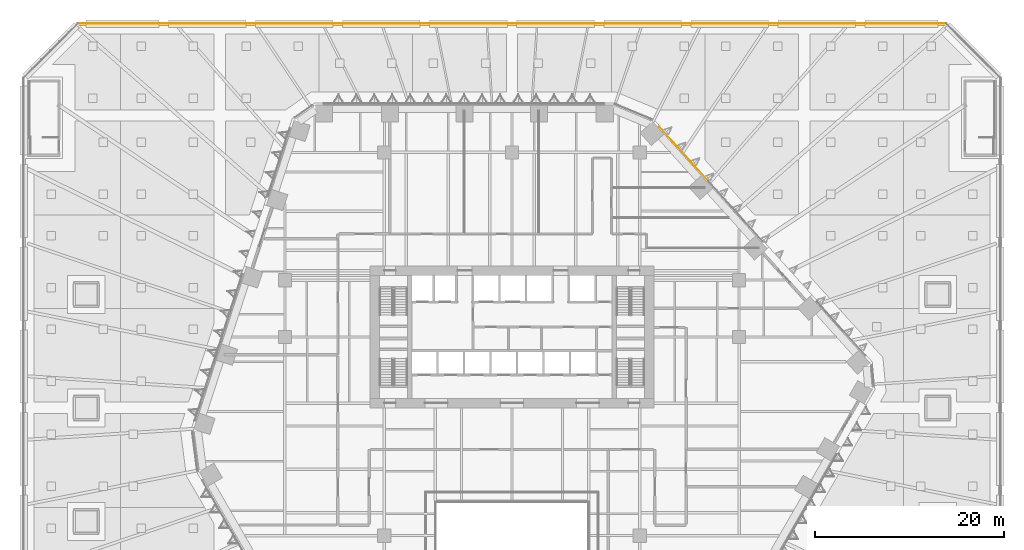
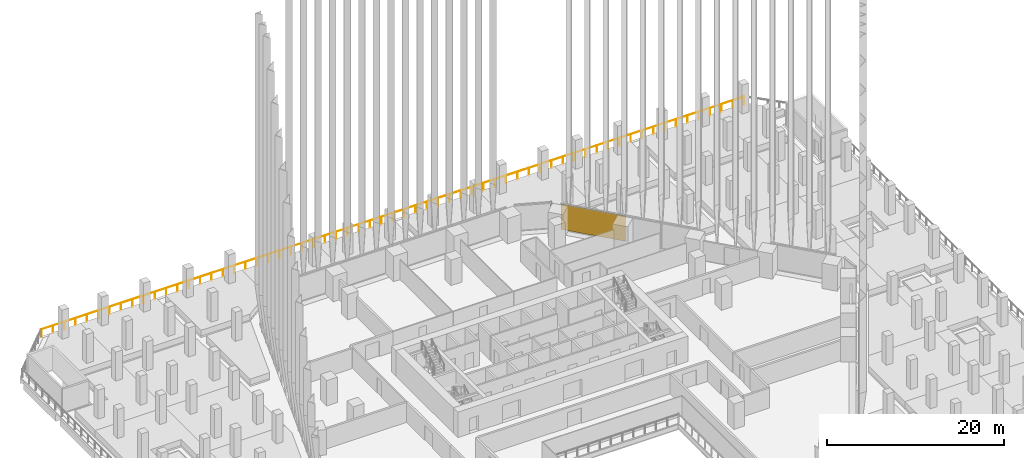
# One storey, part 45 of 51: 1 covering, 1 railing, 1 element without a shape of its own.
"""IFC4 building model written with IfcOpenShell, lengths in metres."""

from ifc_helpers import new_model, si_unit, direction, frame, origin, origin_2d, place, context, subcontext, project, spatial, rectangle, circle, extrude, material, layer, layer_set, type_object, element, aggregate, save


model = new_model("IFC4")

# Units and contexts
model_context = context("Model", 3, precision=1e-05, world=origin(), true_north=direction((0.0, 1.0)))
body_context = subcontext(model_context, "Body", "Model", "MODEL_VIEW")
ifc_project = project(units=[si_unit("LENGTHUNIT", "METRE"), si_unit("AREAUNIT", "SQUARE_METRE"), si_unit("VOLUMEUNIT", "CUBIC_METRE"), si_unit("PLANEANGLEUNIT", "RADIAN"), si_unit("MASSUNIT", "GRAM", prefix="KILO")], contexts=[model_context])

# Site, building, storey
site_placement = place(None, origin())
site = spatial("IfcSite", under=ifc_project, at=site_placement, CompositionType="ELEMENT")
building_placement = place(site_placement, origin())
building = spatial("IfcBuilding", under=site, at=building_placement, Name="Isthmus Gate Tower", CompositionType="ELEMENT")
storey_placement = place(building_placement, frame((0.0, 0.0, 36.0)))
storey = spatial("IfcBuildingStorey", under=building, at=storey_placement, Name="L06", CompositionType="ELEMENT", Elevation=36.0)

# Curtain wall, covering
ifc_material_1 = material(Name="Aluminium, pale champagne anodised", Category="aluminium")
ifc_layer_1 = layer(ifc_material_1, 0.199951171875)
ifc_layer_set_1 = layer_set([ifc_layer_1], Name="CW-1 UNITISED CURTAIN WALL 200 DEEP")
curtain_wall_type = type_object("IfcCurtainWallType", Name="CW-1 UNITISED CURTAIN WALL 200 DEEP", PredefinedType="NOTDEFINED", material=ifc_layer_set_1)
curtain_wall_placement = place(storey_placement, origin())
curtain_wall = element("IfcCurtainWall", 1, at=curtain_wall_placement, inside=storey, type_object=curtain_wall_type, Name="CW-1 NE L06", PredefinedType="NOTDEFINED")
ifc_material_2 = material(Name="Aluminium composite panel, pale champagne anodised", Category="aluminium")
ifc_layer_2 = layer(ifc_material_2, 0.0400390625)
ifc_layer_set_2 = layer_set([ifc_layer_2], Name="CW-1 PALE METAL PANEL 40")
covering_type = type_object("IfcCoveringType", Name="CW-1 PALE METAL PANEL 40", PredefinedType="CLADDING", material=ifc_layer_set_2)
covering_placement = place(storey_placement, frame((18.173583984375, 26.86328125, 0.0), z_axis=(0.0, 0.0, 1.0), x_axis=(-0.669130606359, 0.743144825477, 0.0)))
covering = element("IfcCovering", 2, at=covering_placement, type_object=covering_type, Name="CW-1 pale metal panel", PredefinedType="CLADDING", context=body_context, shape_type="SweptSolid", body=[
    extrude(rectangle(XDim=7.689453125, YDim=0.0400390625, at=origin_2d()), origin(), (0.0, 0.0, 1.0), 3.5),
])
aggregate(curtain_wall, [covering])

# Railing
ifc_material_3 = material(Name="Stainless steel posts and toughened laminated glass", Category="steel")
railing_type = type_object("IfcRailingType", Name="GUARD 1100 TERRACE GLASS", PredefinedType="GUARDRAIL", material=ifc_material_3)
railing_placement = place(storey_placement, frame((-45.794921875, 40.64990234375, 0.0)))
element("IfcRailing", 3, at=railing_placement, inside=storey, type_object=railing_type, Name="TERRACE GUARD", PredefinedType="GUARDRAIL", context=body_context, shape_type="SweptSolid", body=[
    extrude(circle(Radius=0.02490234375, at=origin_2d()), frame((0.0, 0.0, 1.0751953125), z_axis=(1.0, 0.0, 0.0), x_axis=(0.0, 1.0, 0.0)), (0.0, 0.0, 1.0), 91.58984375),
    extrude(circle(Radius=0.02490234375, at=origin_2d()), origin(), (0.0, 0.0, 1.0), 1.050048828125),
    extrude(circle(Radius=0.02490234375, at=origin_2d()), frame((1.477294921875, 0.0, 0.0)), (0.0, 0.0, 1.0), 1.050048828125),
    extrude(circle(Radius=0.02490234375, at=origin_2d()), frame((2.95458984375, 0.0, 0.0)), (0.0, 0.0, 1.0), 1.050048828125),
    extrude(circle(Radius=0.02490234375, at=origin_2d()), frame((4.431884765625, 0.0, 0.0)), (0.0, 0.0, 1.0), 1.050048828125),
    extrude(circle(Radius=0.02490234375, at=origin_2d()), frame((5.908935546875, 0.0, 0.0)), (0.0, 0.0, 1.0), 1.050048828125),
    extrude(circle(Radius=0.02490234375, at=origin_2d()), frame((7.38623046875, 0.0, 0.0)), (0.0, 0.0, 1.0), 1.050048828125),
    extrude(circle(Radius=0.02490234375, at=origin_2d()), frame((8.863525390625, 0.0, 0.0)), (0.0, 0.0, 1.0), 1.050048828125),
    extrude(circle(Radius=0.02490234375, at=origin_2d()), frame((10.3408203125, 0.0, 0.0)), (0.0, 0.0, 1.0), 1.050048828125),
    extrude(circle(Radius=0.02490234375, at=origin_2d()), frame((11.818115234375, 0.0, 0.0)), (0.0, 0.0, 1.0), 1.050048828125),
    extrude(circle(Radius=0.02490234375, at=origin_2d()), frame((13.29541015625, 0.0, 0.0)), (0.0, 0.0, 1.0), 1.050048828125),
    extrude(circle(Radius=0.02490234375, at=origin_2d()), frame((14.7724609375, 0.0, 0.0)), (0.0, 0.0, 1.0), 1.050048828125),
    extrude(circle(Radius=0.02490234375, at=origin_2d()), frame((16.249755859375, 0.0, 0.0)), (0.0, 0.0, 1.0), 1.050048828125),
    extrude(circle(Radius=0.02490234375, at=origin_2d()), frame((17.72705078125, 0.0, 0.0)), (0.0, 0.0, 1.0), 1.050048828125),
    extrude(circle(Radius=0.02490234375, at=origin_2d()), frame((19.204345703125, 0.0, 0.0)), (0.0, 0.0, 1.0), 1.050048828125),
    extrude(circle(Radius=0.02490234375, at=origin_2d()), frame((20.681640625, 0.0, 0.0)), (0.0, 0.0, 1.0), 1.050048828125),
    extrude(circle(Radius=0.02490234375, at=origin_2d()), frame((22.158935546875, 0.0, 0.0)), (0.0, 0.0, 1.0), 1.050048828125),
    extrude(circle(Radius=0.02490234375, at=origin_2d()), frame((23.635986328125, 0.0, 0.0)), (0.0, 0.0, 1.0), 1.050048828125),
    extrude(circle(Radius=0.02490234375, at=origin_2d()), frame((25.11328125, 0.0, 0.0)), (0.0, 0.0, 1.0), 1.050048828125),
    extrude(circle(Radius=0.02490234375, at=origin_2d()), frame((26.590576171875, 0.0, 0.0)), (0.0, 0.0, 1.0), 1.050048828125),
    extrude(circle(Radius=0.02490234375, at=origin_2d()), frame((28.06787109375, 0.0, 0.0)), (0.0, 0.0, 1.0), 1.050048828125),
    extrude(circle(Radius=0.02490234375, at=origin_2d()), frame((29.545166015625, 0.0, 0.0)), (0.0, 0.0, 1.0), 1.050048828125),
    extrude(circle(Radius=0.02490234375, at=origin_2d()), frame((31.0224609375, 0.0, 0.0)), (0.0, 0.0, 1.0), 1.050048828125),
    extrude(circle(Radius=0.02490234375, at=origin_2d()), frame((32.49951171875, 0.0, 0.0)), (0.0, 0.0, 1.0), 1.050048828125),
    extrude(circle(Radius=0.02490234375, at=origin_2d()), frame((33.976806640625, 0.0, 0.0)), (0.0, 0.0, 1.0), 1.050048828125),
    extrude(circle(Radius=0.02490234375, at=origin_2d()), frame((35.4541015625, 0.0, 0.0)), (0.0, 0.0, 1.0), 1.050048828125),
    extrude(circle(Radius=0.02490234375, at=origin_2d()), frame((36.931396484375, 0.0, 0.0)), (0.0, 0.0, 1.0), 1.050048828125),
    extrude(circle(Radius=0.02490234375, at=origin_2d()), frame((38.40869140625, 0.0, 0.0)), (0.0, 0.0, 1.0), 1.050048828125),
    extrude(circle(Radius=0.02490234375, at=origin_2d()), frame((39.885986328125, 0.0, 0.0)), (0.0, 0.0, 1.0), 1.050048828125),
    extrude(circle(Radius=0.02490234375, at=origin_2d()), frame((41.363037109375, 0.0, 0.0)), (0.0, 0.0, 1.0), 1.050048828125),
    extrude(circle(Radius=0.02490234375, at=origin_2d()), frame((42.84033203125, 0.0, 0.0)), (0.0, 0.0, 1.0), 1.050048828125),
    extrude(circle(Radius=0.02490234375, at=origin_2d()), frame((44.317626953125, 0.0, 0.0)), (0.0, 0.0, 1.0), 1.050048828125),
    extrude(circle(Radius=0.02490234375, at=origin_2d()), frame((45.794921875, 0.0, 0.0)), (0.0, 0.0, 1.0), 1.050048828125),
    extrude(circle(Radius=0.02490234375, at=origin_2d()), frame((47.272216796875, 0.0, 0.0)), (0.0, 0.0, 1.0), 1.050048828125),
    extrude(circle(Radius=0.02490234375, at=origin_2d()), frame((48.74951171875, 0.0, 0.0)), (0.0, 0.0, 1.0), 1.050048828125),
    extrude(circle(Radius=0.02490234375, at=origin_2d()), frame((50.226806640625, 0.0, 0.0)), (0.0, 0.0, 1.0), 1.050048828125),
    extrude(circle(Radius=0.02490234375, at=origin_2d()), frame((51.703857421875, 0.0, 0.0)), (0.0, 0.0, 1.0), 1.050048828125),
    extrude(circle(Radius=0.02490234375, at=origin_2d()), frame((53.18115234375, 0.0, 0.0)), (0.0, 0.0, 1.0), 1.050048828125),
    extrude(circle(Radius=0.02490234375, at=origin_2d()), frame((54.658447265625, 0.0, 0.0)), (0.0, 0.0, 1.0), 1.050048828125),
    extrude(circle(Radius=0.02490234375, at=origin_2d()), frame((56.1357421875, 0.0, 0.0)), (0.0, 0.0, 1.0), 1.050048828125),
    extrude(circle(Radius=0.02490234375, at=origin_2d()), frame((57.613037109375, 0.0, 0.0)), (0.0, 0.0, 1.0), 1.050048828125),
    extrude(circle(Radius=0.02490234375, at=origin_2d()), frame((59.09033203125, 0.0, 0.0)), (0.0, 0.0, 1.0), 1.050048828125),
    extrude(circle(Radius=0.02490234375, at=origin_2d()), frame((60.5673828125, 0.0, 0.0)), (0.0, 0.0, 1.0), 1.050048828125),
    extrude(circle(Radius=0.02490234375, at=origin_2d()), frame((62.044677734375, 0.0, 0.0)), (0.0, 0.0, 1.0), 1.050048828125),
    extrude(circle(Radius=0.02490234375, at=origin_2d()), frame((63.52197265625, 0.0, 0.0)), (0.0, 0.0, 1.0), 1.050048828125),
    extrude(circle(Radius=0.02490234375, at=origin_2d()), frame((64.999267578125, 0.0, 0.0)), (0.0, 0.0, 1.0), 1.050048828125),
    extrude(circle(Radius=0.02490234375, at=origin_2d()), frame((66.4765625, 0.0, 0.0)), (0.0, 0.0, 1.0), 1.050048828125),
    extrude(circle(Radius=0.02490234375, at=origin_2d()), frame((67.953857421875, 0.0, 0.0)), (0.0, 0.0, 1.0), 1.050048828125),
    extrude(circle(Radius=0.02490234375, at=origin_2d()), frame((69.430908203125, 0.0, 0.0)), (0.0, 0.0, 1.0), 1.050048828125),
    extrude(circle(Radius=0.02490234375, at=origin_2d()), frame((70.908203125, 0.0, 0.0)), (0.0, 0.0, 1.0), 1.050048828125),
    extrude(circle(Radius=0.02490234375, at=origin_2d()), frame((72.385498046875, 0.0, 0.0)), (0.0, 0.0, 1.0), 1.050048828125),
    extrude(circle(Radius=0.02490234375, at=origin_2d()), frame((73.86279296875, 0.0, 0.0)), (0.0, 0.0, 1.0), 1.050048828125),
    extrude(circle(Radius=0.02490234375, at=origin_2d()), frame((75.340087890625, 0.0, 0.0)), (0.0, 0.0, 1.0), 1.050048828125),
    extrude(circle(Radius=0.02490234375, at=origin_2d()), frame((76.8173828125, 0.0, 0.0)), (0.0, 0.0, 1.0), 1.050048828125),
    extrude(circle(Radius=0.02490234375, at=origin_2d()), frame((78.29443359375, 0.0, 0.0)), (0.0, 0.0, 1.0), 1.050048828125),
    extrude(circle(Radius=0.02490234375, at=origin_2d()), frame((79.771728515625, 0.0, 0.0)), (0.0, 0.0, 1.0), 1.050048828125),
    extrude(circle(Radius=0.02490234375, at=origin_2d()), frame((81.2490234375, 0.0, 0.0)), (0.0, 0.0, 1.0), 1.050048828125),
    extrude(circle(Radius=0.02490234375, at=origin_2d()), frame((82.726318359375, 0.0, 0.0)), (0.0, 0.0, 1.0), 1.050048828125),
    extrude(circle(Radius=0.02490234375, at=origin_2d()), frame((84.20361328125, 0.0, 0.0)), (0.0, 0.0, 1.0), 1.050048828125),
    extrude(circle(Radius=0.02490234375, at=origin_2d()), frame((85.680908203125, 0.0, 0.0)), (0.0, 0.0, 1.0), 1.050048828125),
    extrude(circle(Radius=0.02490234375, at=origin_2d()), frame((87.157958984375, 0.0, 0.0)), (0.0, 0.0, 1.0), 1.050048828125),
    extrude(circle(Radius=0.02490234375, at=origin_2d()), frame((88.63525390625, 0.0, 0.0)), (0.0, 0.0, 1.0), 1.050048828125),
    extrude(circle(Radius=0.02490234375, at=origin_2d()), frame((90.112548828125, 0.0, 0.0)), (0.0, 0.0, 1.0), 1.050048828125),
    extrude(circle(Radius=0.02490234375, at=origin_2d()), frame((91.58984375, 0.0, 0.0)), (0.0, 0.0, 1.0), 1.050048828125),
])

save(model, "model.ifc")
